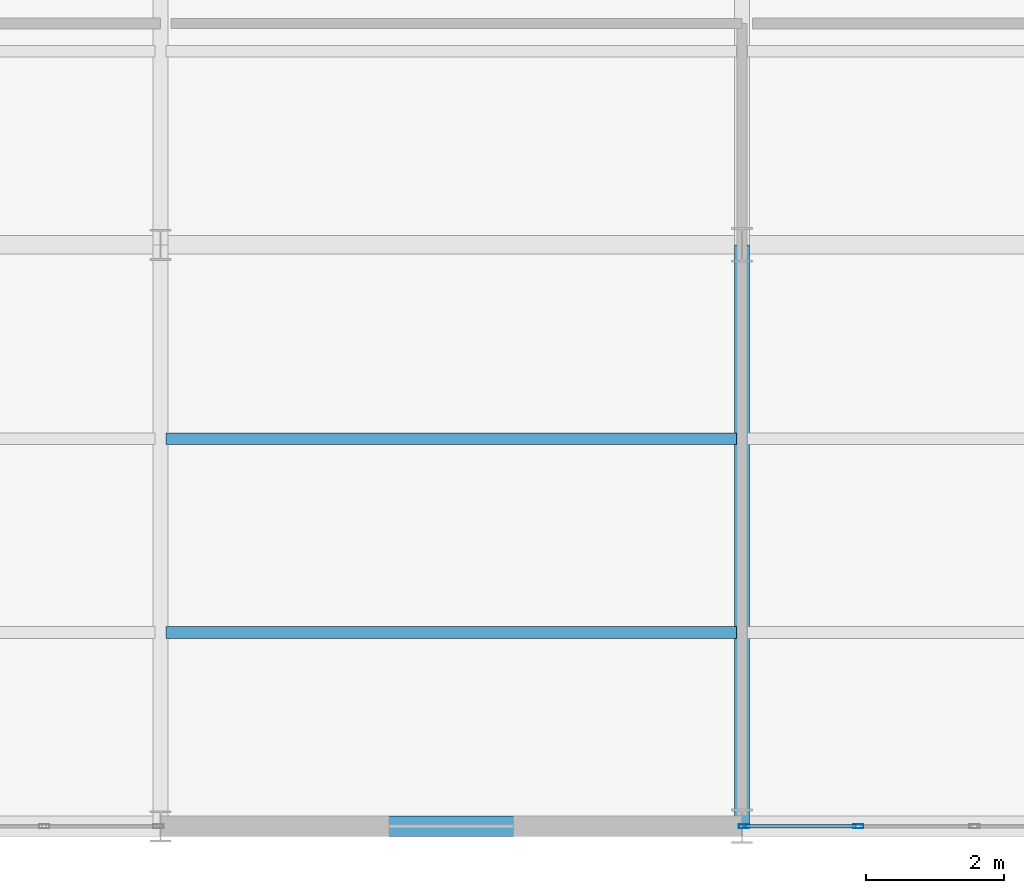
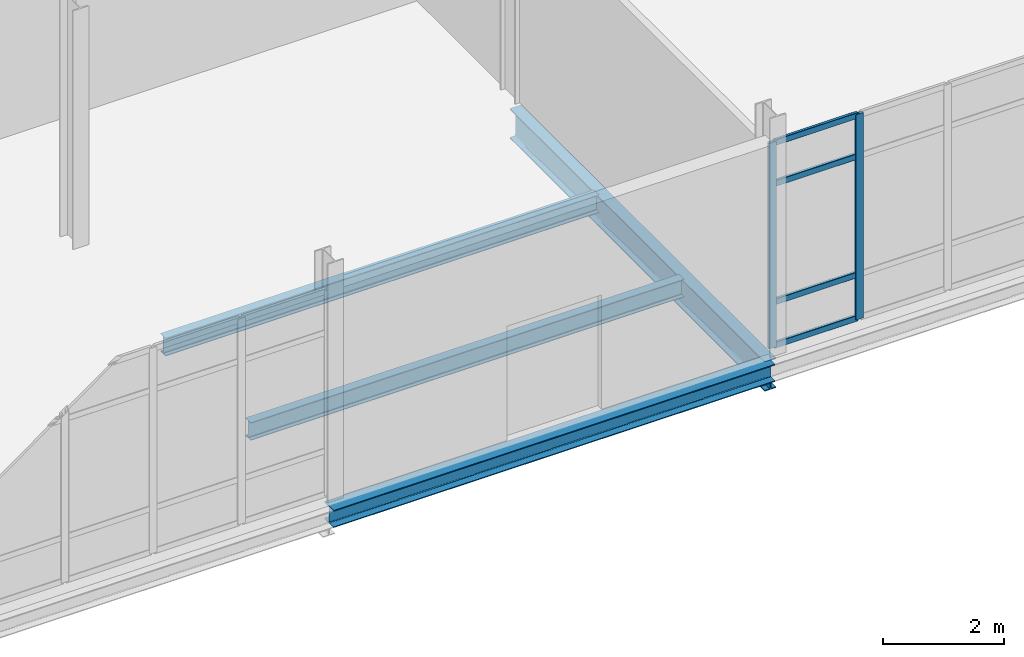
# One storey, part 93 of 145: 6 members, 4 beams, 1 element without a shape of its own.
"""IFC4 building model written with IfcOpenShell, lengths in metres."""

from ifc_helpers import new_model, si_unit, direction, frame, origin, origin_2d, place, context, subcontext, project, spatial, hollow_rectangle, i_section, extrude, material, layer, layer_set, material_profile, profile_set, type_object, element, aggregate, save


model = new_model("IFC4")

# Units and contexts
model_context = context("Model", 3, precision=1e-05, world=origin(), true_north=direction((0.0, 1.0)))
body_context = subcontext(model_context, "Body", "Model", "MODEL_VIEW")
ifc_project = project(units=[si_unit("LENGTHUNIT", "METRE"), si_unit("AREAUNIT", "SQUARE_METRE"), si_unit("VOLUMEUNIT", "CUBIC_METRE"), si_unit("PLANEANGLEUNIT", "RADIAN"), si_unit("MASSUNIT", "GRAM", prefix="KILO")], contexts=[model_context])

# Site, building, storey
site_placement = place(None, origin())
site = spatial("IfcSite", under=ifc_project, at=site_placement, CompositionType="ELEMENT")
building_placement = place(site_placement, origin())
building = spatial("IfcBuilding", under=site, at=building_placement, Name="Qalvenar Corner Mobility Hub", CompositionType="ELEMENT")
storey_placement = place(building_placement, origin())
storey = spatial("IfcBuildingStorey", under=building, at=storey_placement, Name="L00", CompositionType="ELEMENT", Elevation=0.0)

# Beams
ifc_material_1 = material(Name="Steel S355", Category="steel")
ifc_material_profile_1 = material_profile(ifc_material_1, i_section(OverallWidth=0.219970703125, OverallDepth=0.60009765625, WebThickness=0.011962890625, FlangeThickness=0.01904296875, FilletRadius=0.02392578125, at=origin_2d()), Name="IPE600")
ifc_profile_set_1 = profile_set([ifc_material_profile_1], Name="Steel S355")
beam_type_1 = type_object("IfcBeamType", Name="BM-IPE600", PredefinedType="BEAM", material=ifc_profile_set_1)
beam_1_placement = place(storey_placement, frame((134.39990234375, 0.0, -0.550048828125), z_axis=(0.0, 1.0, 0.0), x_axis=(-1.0, 0.0, 0.0)))
element("IfcBeam", 1, at=beam_1_placement, inside=storey, type_object=beam_type_1, Name="Primary Steel Girder GY-0311", PredefinedType="BEAM", context=body_context, shape_type="SweptSolid", body=[
    extrude(i_section(OverallWidth=0.219970703125, OverallDepth=0.60009765625, WebThickness=0.011962890625, FlangeThickness=0.01904296875, FilletRadius=0.02392578125, at=origin_2d()), origin(), (0.0, 0.0, 1.0), 8.39990234375),
])
ifc_material_profile_2 = material_profile(ifc_material_1, i_section(OverallWidth=0.169921875, OverallDepth=0.360107421875, WebThickness=0.008056640625, FlangeThickness=0.0126953125, FilletRadius=0.01806640625, at=origin_2d()), Name="IPE360")
ifc_profile_set_2 = profile_set([ifc_material_profile_2], Name="Steel S355")
beam_type_2 = type_object("IfcBeamType", Name="BM-JST360", PredefinedType="JOIST", material=ifc_profile_set_2)
for number, where, z_axis, x_axis, name in (
    (2, (126.077880859375, 2.800048828125, -0.429931640625), (1.0, 0.0, 0.0), (0.0, 1.0, 0.0), "Composite Floor Joist J-0365"),
    (3, (126.077880859375, 5.60009765625, -0.429931640625), (1.0, 0.0, 0.0), (0.0, 1.0, 0.0), "Composite Floor Joist J-0366"),
):
    element("IfcBeam", number, at=place(storey_placement, frame(where, z_axis=z_axis, x_axis=x_axis)), inside=storey, type_object=beam_type_2, Name=name, PredefinedType="JOIST", context=body_context, shape_type="SweptSolid", body=[
        extrude(i_section(OverallWidth=0.169921875, OverallDepth=0.360107421875, WebThickness=0.008056640625, FlangeThickness=0.0126953125, FilletRadius=0.01806640625, at=origin_2d()), origin(), (0.0, 0.0, 1.0), 8.244140625),
    ])
ifc_material_profile_3 = material_profile(ifc_material_1, i_section(OverallWidth=0.300048828125, OverallDepth=0.35009765625, WebThickness=0.010009765625, FlangeThickness=0.017578125, FilletRadius=0.027099609375, at=origin_2d()), Name="HEA360")
ifc_profile_set_3 = profile_set([ifc_material_profile_3], Name="Steel S355")
beam_type_3 = type_object("IfcBeamType", Name="BM-SPN360", PredefinedType="SPANDREL", material=ifc_profile_set_3)
beam_2_placement = place(storey_placement, frame((126.0, 0.0, -0.425048828125), z_axis=(1.0, 0.0, 0.0), x_axis=(0.0, 1.0, 0.0)))
element("IfcBeam", 4, at=beam_2_placement, inside=storey, type_object=beam_type_3, Name="Primary Steel Girder GX-0250", PredefinedType="SPANDREL", context=body_context, shape_type="SweptSolid", body=[
    extrude(i_section(OverallWidth=0.300048828125, OverallDepth=0.35009765625, WebThickness=0.010009765625, FlangeThickness=0.017578125, FilletRadius=0.027099609375, at=origin_2d()), origin(), (0.0, 0.0, 1.0), 8.39990234375),
])

# Curtain wall, members
ifc_material_2 = material(Name="Anodised Aluminium and Low-E Glazing", Category="aluminium")
ifc_layer = layer(ifc_material_2, 0.14990234375)
ifc_layer_set = layer_set([ifc_layer], Name="Anodised Aluminium and Low-E Glazing")
curtain_wall_type = type_object("IfcCurtainWallType", Name="CW-WKS-84X44", PredefinedType="NOTDEFINED", material=ifc_layer_set)
curtain_wall_placement = place(storey_placement, origin())
curtain_wall = element("IfcCurtainWall", 5, at=curtain_wall_placement, inside=storey, type_object=curtain_wall_type, Name="Glazed Curtain Wall CW-V6-L00-S3", PredefinedType="NOTDEFINED")
ifc_material_3 = material(Name="Anodised Aluminium 6063-T6", Category="aluminium")
ifc_material_profile_4 = material_profile(ifc_material_3, hollow_rectangle(XDim=0.06005859375, YDim=0.14990234375, WallThickness=0.00390625, InnerFilletRadius=0.00390625, OuterFilletRadius=0.008056640625, at=origin_2d()), Name="RHS150x60x4")
ifc_profile_set_4 = profile_set([ifc_material_profile_4], Name="Anodised Aluminium 6063-T6")
member_type_1 = type_object("IfcMemberType", Name="CW-MUL150", PredefinedType="MULLION", material=ifc_profile_set_4)
member_1_placement = place(storey_placement, frame((134.429931640625, 0.0, 0.0), z_axis=(0.0, 0.0, 1.0), x_axis=(0.0, 1.0, 0.0)))
member_1 = element("IfcMember", 6, at=member_1_placement, type_object=member_type_1, Name="CW-09 mullion 1", PredefinedType="MULLION", context=body_context, shape_type="SweptSolid", body=[
    extrude(hollow_rectangle(XDim=0.06005859375, YDim=0.14990234375, WallThickness=0.00390625, InnerFilletRadius=0.00390625, OuterFilletRadius=0.008056640625, at=origin_2d()), origin(), (0.0, 0.0, 1.0), 4.1298828125),
])
member_2_placement = place(storey_placement, frame((136.080078125, 0.0, 0.0), z_axis=(0.0, 0.0, 1.0), x_axis=(0.0, 1.0, 0.0)))
member_2 = element("IfcMember", 7, at=member_2_placement, type_object=member_type_1, Name="CW-09 mullion 2", PredefinedType="MULLION", context=body_context, shape_type="SweptSolid", body=[
    extrude(hollow_rectangle(XDim=0.06005859375, YDim=0.14990234375, WallThickness=0.00390625, InnerFilletRadius=0.00390625, OuterFilletRadius=0.008056640625, at=origin_2d()), origin(), (0.0, 0.0, 1.0), 4.1298828125),
])
ifc_material_profile_5 = material_profile(ifc_material_3, hollow_rectangle(XDim=0.054931640625, YDim=0.1201171875, WallThickness=0.00341796875, InnerFilletRadius=0.00341796875, OuterFilletRadius=0.007080078125, at=origin_2d()), Name="RHS120x55x3.5")
ifc_profile_set_5 = profile_set([ifc_material_profile_5], Name="Anodised Aluminium 6063-T6")
member_type_2 = type_object("IfcMemberType", Name="CW-TRN120", PredefinedType="USERDEFINED", material=ifc_profile_set_5)
member_3_placement = place(storey_placement, frame((134.4599609375, 0.0, 0.027587890625), z_axis=(1.0, 0.0, 0.0), x_axis=(0.0, 1.0, 0.0)))
member_3 = element("IfcMember", 8, at=member_3_placement, type_object=member_type_2, Name="CW-09 transom 1.1", ObjectType="TRANSOM", PredefinedType="USERDEFINED", context=body_context, shape_type="SweptSolid", body=[
    extrude(hollow_rectangle(XDim=0.054931640625, YDim=0.1201171875, WallThickness=0.00341796875, InnerFilletRadius=0.00341796875, OuterFilletRadius=0.007080078125, at=origin_2d()), origin(), (0.0, 0.0, 1.0), 1.590087890625),
])
member_4_placement = place(storey_placement, frame((134.4599609375, 0.0, 0.89990234375), z_axis=(1.0, 0.0, 0.0), x_axis=(0.0, 1.0, 0.0)))
member_4 = element("IfcMember", 9, at=member_4_placement, type_object=member_type_2, Name="CW-09 transom 1.2", ObjectType="TRANSOM", PredefinedType="USERDEFINED", context=body_context, shape_type="SweptSolid", body=[
    extrude(hollow_rectangle(XDim=0.054931640625, YDim=0.1201171875, WallThickness=0.00341796875, InnerFilletRadius=0.00341796875, OuterFilletRadius=0.007080078125, at=origin_2d()), origin(), (0.0, 0.0, 1.0), 1.590087890625),
])
member_5_placement = place(storey_placement, frame((134.4599609375, 0.0, 3.280029296875), z_axis=(1.0, 0.0, 0.0), x_axis=(0.0, 1.0, 0.0)))
member_5 = element("IfcMember", 10, at=member_5_placement, type_object=member_type_2, Name="CW-09 transom 1.3", ObjectType="TRANSOM", PredefinedType="USERDEFINED", context=body_context, shape_type="SweptSolid", body=[
    extrude(hollow_rectangle(XDim=0.054931640625, YDim=0.1201171875, WallThickness=0.00341796875, InnerFilletRadius=0.00341796875, OuterFilletRadius=0.007080078125, at=origin_2d()), origin(), (0.0, 0.0, 1.0), 1.590087890625),
])
member_6_placement = place(storey_placement, frame((134.4599609375, 0.0, 4.1025390625), z_axis=(1.0, 0.0, 0.0), x_axis=(0.0, 1.0, 0.0)))
member_6 = element("IfcMember", 11, at=member_6_placement, type_object=member_type_2, Name="CW-09 transom 1.4", ObjectType="TRANSOM", PredefinedType="USERDEFINED", context=body_context, shape_type="SweptSolid", body=[
    extrude(hollow_rectangle(XDim=0.054931640625, YDim=0.1201171875, WallThickness=0.00341796875, InnerFilletRadius=0.00341796875, OuterFilletRadius=0.007080078125, at=origin_2d()), origin(), (0.0, 0.0, 1.0), 1.590087890625),
])
aggregate(curtain_wall, [member_1, member_2, member_3, member_4, member_5, member_6])

save(model, "model.ifc")
